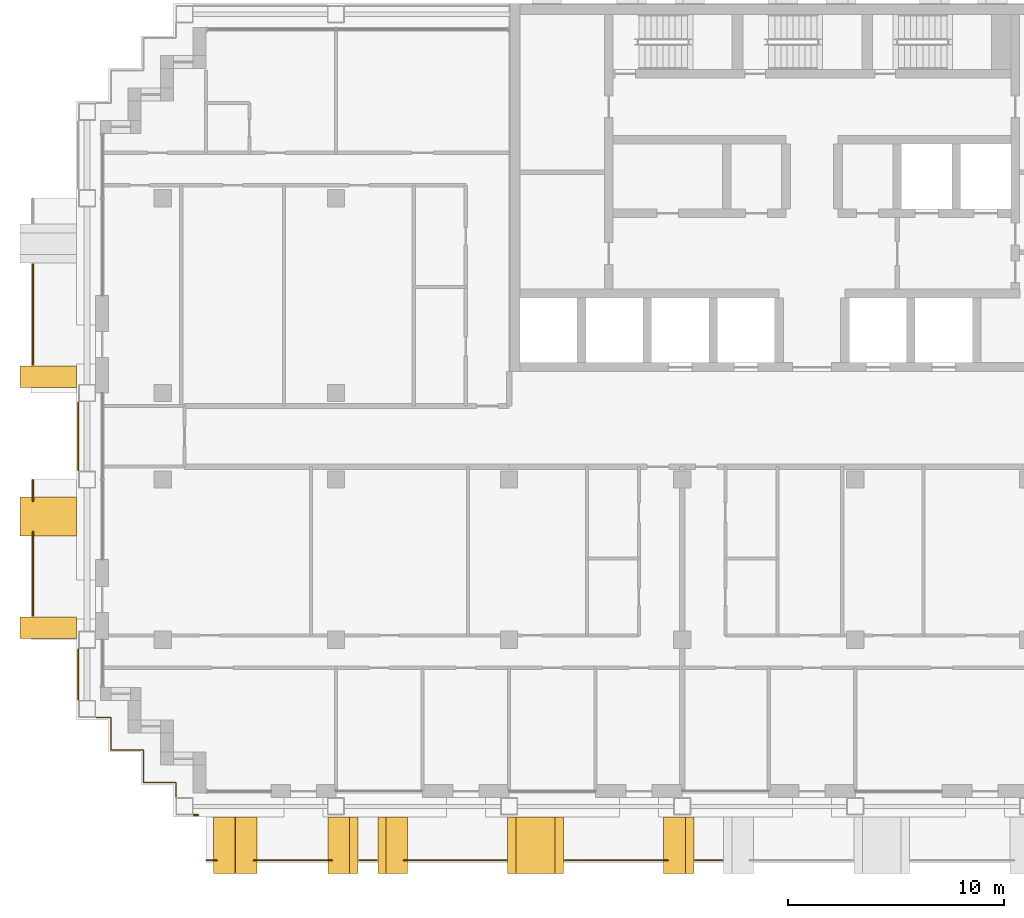
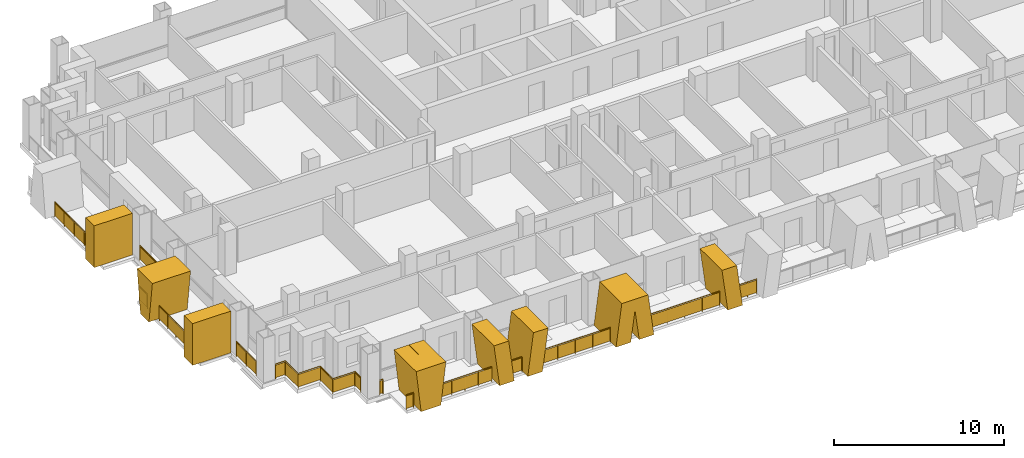
# One storey, part 13 of 16: 13 railings, 8 shading devices.
"""IFC4 building model written with IfcOpenShell, lengths in metres."""

from ifc_helpers import new_model, si_unit, direction, frame, origin, origin_2d, place, context, subcontext, project, spatial, polyline, rectangle, circle, outline, extrude, material, layer, layer_set, type_object, element, save


model = new_model("IFC4")

# Units and contexts
model_context = context("Model", 3, precision=1e-05, world=origin(), true_north=direction((0.0, 1.0)))
body_context = subcontext(model_context, "Body", "Model", "MODEL_VIEW")
ifc_project = project(units=[si_unit("LENGTHUNIT", "METRE"), si_unit("AREAUNIT", "SQUARE_METRE"), si_unit("VOLUMEUNIT", "CUBIC_METRE"), si_unit("PLANEANGLEUNIT", "RADIAN"), si_unit("MASSUNIT", "GRAM", prefix="KILO")], contexts=[model_context])

# Site, building, storey
site_placement = place(None, origin())
site = spatial("IfcSite", under=ifc_project, at=site_placement, CompositionType="ELEMENT")
building_placement = place(site_placement, origin())
building = spatial("IfcBuilding", under=site, at=building_placement, Name="Vidyagriha Tower", CompositionType="ELEMENT")
storey_placement = place(building_placement, frame((0.0, 0.0, 129.39990234375)))
storey = spatial("IfcBuildingStorey", under=building, at=storey_placement, Name="L33", CompositionType="ELEMENT", Elevation=129.39990234375)

# Railings
ifc_material_1 = material(Name="Steel ASTM A500 Grade C black painted", Category="steel")
railing_type_1 = type_object("IfcRailingType", Name="Balcony guard 1100", PredefinedType="BALUSTRADE", material=ifc_material_1)
railing_1_placement = place(storey_placement, frame((-36.0, 7.949951171875, 0.0)))
element("IfcRailing", 1, at=railing_1_placement, inside=storey, type_object=railing_type_1, Name="Balcony guard L33 R16.1-2", PredefinedType="BALUSTRADE", context=body_context, shape_type="SweptSolid", body=[
    extrude(circle(Radius=0.02490234375, at=origin_2d()), frame((0.0, 0.0, 1.0751953125), z_axis=(0.0, -1.0, 0.0), x_axis=(1.0, 0.0, 0.0)), (0.0, 0.0, 1.0), 4.64990234375),
    extrude(circle(Radius=0.02001953125, at=origin_2d()), origin(), (0.0, 0.0, 1.0), 1.050048828125),
    extrude(circle(Radius=0.02001953125, at=origin_2d()), frame((0.0, -1.16259765625, 0.0)), (0.0, 0.0, 1.0), 1.050048828125),
    extrude(circle(Radius=0.02001953125, at=origin_2d()), frame((0.0, -2.324951171875, 0.0)), (0.0, 0.0, 1.0), 1.050048828125),
    extrude(circle(Radius=0.02001953125, at=origin_2d()), frame((0.0, -3.4873046875, 0.0)), (0.0, 0.0, 1.0), 1.050048828125),
    extrude(circle(Radius=0.02001953125, at=origin_2d()), frame((0.0, -4.64990234375, 0.0)), (0.0, 0.0, 1.0), 1.050048828125),
    extrude(rectangle(XDim=0.010009765625, YDim=0.900146484375, at=origin_2d()), frame((0.0, 0.0, 0.550048828125), z_axis=(0.0, -1.0, 0.0), x_axis=(1.0, 0.0, 0.0)), (0.0, 0.0, 1.0), 4.64990234375),
])
railing_2_placement = place(storey_placement, frame((-36.0, -2.0, 0.0)))
element("IfcRailing", 2, at=railing_2_placement, inside=storey, type_object=railing_type_1, Name="Balcony guard L33 R16.2-1", PredefinedType="BALUSTRADE", context=body_context, shape_type="SweptSolid", body=[
    extrude(circle(Radius=0.02490234375, at=origin_2d()), frame((0.0, 0.0, 1.0751953125), z_axis=(0.0, -1.0, 0.0), x_axis=(1.0, 0.0, 0.0)), (0.0, 0.0, 1.0), 0.99658203125),
    extrude(circle(Radius=0.02001953125, at=origin_2d()), origin(), (0.0, 0.0, 1.0), 1.050048828125),
    extrude(circle(Radius=0.02001953125, at=origin_2d()), frame((0.0, -0.99658203125, 0.0)), (0.0, 0.0, 1.0), 1.050048828125),
    extrude(rectangle(XDim=0.010009765625, YDim=0.900146484375, at=origin_2d()), frame((0.0, 0.0, 0.550048828125), z_axis=(0.0, -1.0, 0.0), x_axis=(1.0, 0.0, 0.0)), (0.0, 0.0, 1.0), 0.99658203125),
])
railing_3_placement = place(storey_placement, frame((-36.0, -4.4033203125, 0.0)))
element("IfcRailing", 3, at=railing_3_placement, inside=storey, type_object=railing_type_1, Name="Balcony guard L33 R16.2-2", PredefinedType="BALUSTRADE", context=body_context, shape_type="SweptSolid", body=[
    extrude(circle(Radius=0.02490234375, at=origin_2d()), frame((0.0, 0.0, 1.0751953125), z_axis=(0.0, -1.0, 0.0), x_axis=(1.0, 0.0, 0.0)), (0.0, 0.0, 1.0), 3.896728515625),
    extrude(circle(Radius=0.02001953125, at=origin_2d()), origin(), (0.0, 0.0, 1.0), 1.050048828125),
    extrude(circle(Radius=0.02001953125, at=origin_2d()), frame((0.0, -0.97412109375, 0.0)), (0.0, 0.0, 1.0), 1.050048828125),
    extrude(circle(Radius=0.02001953125, at=origin_2d()), frame((0.0, -1.9482421875, 0.0)), (0.0, 0.0, 1.0), 1.050048828125),
    extrude(circle(Radius=0.02001953125, at=origin_2d()), frame((0.0, -2.922607421875, 0.0)), (0.0, 0.0, 1.0), 1.050048828125),
    extrude(circle(Radius=0.02001953125, at=origin_2d()), frame((0.0, -3.896728515625, 0.0)), (0.0, 0.0, 1.0), 1.050048828125),
    extrude(rectangle(XDim=0.010009765625, YDim=0.900146484375, at=origin_2d()), frame((0.0, 0.0, 0.550048828125), z_axis=(0.0, -1.0, 0.0), x_axis=(1.0, 0.0, 0.0)), (0.0, 0.0, 1.0), 3.896728515625),
])
railing_4_placement = place(storey_placement, frame((-28.0, -19.60009765625, 0.0)))
element("IfcRailing", 4, at=railing_4_placement, inside=storey, type_object=railing_type_1, Name="Balcony guard L33 R23.1-1", PredefinedType="BALUSTRADE", context=body_context, shape_type="SweptSolid", body=[
    extrude(circle(Radius=0.02490234375, at=origin_2d()), frame((0.0, 0.0, 1.0751953125), z_axis=(1.0, 0.0, 0.0), x_axis=(0.0, 1.0, 0.0)), (0.0, 0.0, 1.0), 0.499755859375),
    extrude(circle(Radius=0.02001953125, at=origin_2d()), origin(), (0.0, 0.0, 1.0), 1.050048828125),
    extrude(circle(Radius=0.02001953125, at=origin_2d()), frame((0.499755859375, 0.0, 0.0)), (0.0, 0.0, 1.0), 1.050048828125),
    extrude(rectangle(XDim=0.010009765625, YDim=0.900146484375, at=origin_2d()), frame((0.0, 0.0, 0.550048828125), z_axis=(1.0, 0.0, 0.0), x_axis=(0.0, 1.0, 0.0)), (0.0, 0.0, 1.0), 0.499755859375),
])
railing_5_placement = place(storey_placement, frame((-25.799560546875, -19.60009765625, 0.0)))
element("IfcRailing", 5, at=railing_5_placement, inside=storey, type_object=railing_type_1, Name="Balcony guard L33 R23.1-2", PredefinedType="BALUSTRADE", context=body_context, shape_type="SweptSolid", body=[
    extrude(circle(Radius=0.02490234375, at=origin_2d()), frame((0.0, 0.0, 1.0751953125), z_axis=(1.0, 0.0, 0.0), x_axis=(0.0, 1.0, 0.0)), (0.0, 0.0, 1.0), 3.619384765625),
    extrude(circle(Radius=0.02001953125, at=origin_2d()), origin(), (0.0, 0.0, 1.0), 1.050048828125),
    extrude(circle(Radius=0.02001953125, at=origin_2d()), frame((0.90478515625, 0.0, 0.0)), (0.0, 0.0, 1.0), 1.050048828125),
    extrude(circle(Radius=0.02001953125, at=origin_2d()), frame((1.8095703125, 0.0, 0.0)), (0.0, 0.0, 1.0), 1.050048828125),
    extrude(circle(Radius=0.02001953125, at=origin_2d()), frame((2.714599609375, 0.0, 0.0)), (0.0, 0.0, 1.0), 1.050048828125),
    extrude(circle(Radius=0.02001953125, at=origin_2d()), frame((3.619384765625, 0.0, 0.0)), (0.0, 0.0, 1.0), 1.050048828125),
    extrude(rectangle(XDim=0.010009765625, YDim=0.900146484375, at=origin_2d()), frame((0.0, 0.0, 0.550048828125), z_axis=(1.0, 0.0, 0.0), x_axis=(0.0, 1.0, 0.0)), (0.0, 0.0, 1.0), 3.619384765625),
])
railing_6_placement = place(storey_placement, frame((-20.933349609375, -19.60009765625, 0.0)))
element("IfcRailing", 6, at=railing_6_placement, inside=storey, type_object=railing_type_1, Name="Balcony guard L33 R23.1-3", PredefinedType="BALUSTRADE", context=body_context, shape_type="SweptSolid", body=[
    extrude(circle(Radius=0.02490234375, at=origin_2d()), frame((0.0, 0.0, 1.0751953125), z_axis=(1.0, 0.0, 0.0), x_axis=(0.0, 1.0, 0.0)), (0.0, 0.0, 1.0), 0.816650390625),
    extrude(circle(Radius=0.02001953125, at=origin_2d()), origin(), (0.0, 0.0, 1.0), 1.050048828125),
    extrude(circle(Radius=0.02001953125, at=origin_2d()), frame((0.816650390625, 0.0, 0.0)), (0.0, 0.0, 1.0), 1.050048828125),
    extrude(rectangle(XDim=0.010009765625, YDim=0.900146484375, at=origin_2d()), frame((0.0, 0.0, 0.550048828125), z_axis=(1.0, 0.0, 0.0), x_axis=(0.0, 1.0, 0.0)), (0.0, 0.0, 1.0), 0.816650390625),
])
railing_7_placement = place(storey_placement, frame((-18.86962890625, -19.60009765625, 0.0)))
element("IfcRailing", 7, at=railing_7_placement, inside=storey, type_object=railing_type_1, Name="Balcony guard L33 R23.1-4", PredefinedType="BALUSTRADE", context=body_context, shape_type="SweptSolid", body=[
    extrude(circle(Radius=0.02490234375, at=origin_2d()), frame((0.0, 0.0, 1.0751953125), z_axis=(1.0, 0.0, 0.0), x_axis=(0.0, 1.0, 0.0)), (0.0, 0.0, 1.0), 4.754638671875),
    extrude(circle(Radius=0.02001953125, at=origin_2d()), origin(), (0.0, 0.0, 1.0), 1.050048828125),
    extrude(circle(Radius=0.02001953125, at=origin_2d()), frame((1.188720703125, 0.0, 0.0)), (0.0, 0.0, 1.0), 1.050048828125),
    extrude(circle(Radius=0.02001953125, at=origin_2d()), frame((2.37744140625, 0.0, 0.0)), (0.0, 0.0, 1.0), 1.050048828125),
    extrude(circle(Radius=0.02001953125, at=origin_2d()), frame((3.56591796875, 0.0, 0.0)), (0.0, 0.0, 1.0), 1.050048828125),
    extrude(circle(Radius=0.02001953125, at=origin_2d()), frame((4.754638671875, 0.0, 0.0)), (0.0, 0.0, 1.0), 1.050048828125),
    extrude(rectangle(XDim=0.010009765625, YDim=0.900146484375, at=origin_2d()), frame((0.0, 0.0, 0.550048828125), z_axis=(1.0, 0.0, 0.0), x_axis=(0.0, 1.0, 0.0)), (0.0, 0.0, 1.0), 4.754638671875),
])
railing_8_placement = place(storey_placement, frame((-11.43505859375, -19.60009765625, 0.0)))
element("IfcRailing", 8, at=railing_8_placement, inside=storey, type_object=railing_type_1, Name="Balcony guard L33 R23.1-5", PredefinedType="BALUSTRADE", context=body_context, shape_type="SweptSolid", body=[
    extrude(circle(Radius=0.02490234375, at=origin_2d()), frame((0.0, 0.0, 1.0751953125), z_axis=(1.0, 0.0, 0.0), x_axis=(0.0, 1.0, 0.0)), (0.0, 0.0, 1.0), 4.773681640625),
    extrude(circle(Radius=0.02001953125, at=origin_2d()), origin(), (0.0, 0.0, 1.0), 1.050048828125),
    extrude(circle(Radius=0.02001953125, at=origin_2d()), frame((1.193359375, 0.0, 0.0)), (0.0, 0.0, 1.0), 1.050048828125),
    extrude(circle(Radius=0.02001953125, at=origin_2d()), frame((2.38671875, 0.0, 0.0)), (0.0, 0.0, 1.0), 1.050048828125),
    extrude(circle(Radius=0.02001953125, at=origin_2d()), frame((3.580322265625, 0.0, 0.0)), (0.0, 0.0, 1.0), 1.050048828125),
    extrude(circle(Radius=0.02001953125, at=origin_2d()), frame((4.773681640625, 0.0, 0.0)), (0.0, 0.0, 1.0), 1.050048828125),
    extrude(rectangle(XDim=0.010009765625, YDim=0.900146484375, at=origin_2d()), frame((0.0, 0.0, 0.550048828125), z_axis=(1.0, 0.0, 0.0), x_axis=(0.0, 1.0, 0.0)), (0.0, 0.0, 1.0), 4.773681640625),
])
railing_9_placement = place(storey_placement, frame((-5.409912109375, -19.60009765625, 0.0)))
element("IfcRailing", 9, at=railing_9_placement, inside=storey, type_object=railing_type_1, Name="Balcony guard L33 R23.1-6", PredefinedType="BALUSTRADE", context=body_context, shape_type="SweptSolid", body=[
    extrude(circle(Radius=0.02490234375, at=origin_2d()), frame((0.0, 0.0, 1.0751953125), z_axis=(1.0, 0.0, 0.0), x_axis=(0.0, 1.0, 0.0)), (0.0, 0.0, 1.0), 1.27001953125),
    extrude(circle(Radius=0.02001953125, at=origin_2d()), origin(), (0.0, 0.0, 1.0), 1.050048828125),
    extrude(circle(Radius=0.02001953125, at=origin_2d()), frame((0.635009765625, 0.0, 0.0)), (0.0, 0.0, 1.0), 1.050048828125),
    extrude(circle(Radius=0.02001953125, at=origin_2d()), frame((1.27001953125, 0.0, 0.0)), (0.0, 0.0, 1.0), 1.050048828125),
    extrude(rectangle(XDim=0.010009765625, YDim=0.900146484375, at=origin_2d()), frame((0.0, 0.0, 0.550048828125), z_axis=(1.0, 0.0, 0.0), x_axis=(0.0, 1.0, 0.0)), (0.0, 0.0, 1.0), 1.27001953125),
])

# Shading devices
ifc_material_2 = material(Name="Precast concrete C40/50 with buff brick facing", Category="concrete")
ifc_layer_1 = layer(ifc_material_2, 1.0)
ifc_layer_set_1 = layer_set([ifc_layer_1], Name="Precast concrete C40/50 with buff brick facing")
shading_device_type_1 = type_object("IfcShadingDeviceType", Name="Brick-faced blade fin arm leaning 8 degrees", PredefinedType="USERDEFINED", material=ifc_layer_set_1)
shading_device_1_placement = place(storey_placement, frame((-20.066650390625, -18.89990234375, 0.0)))
element("IfcShadingDevice", 10, at=shading_device_1_placement, inside=storey, type_object=shading_device_type_1, Name="Leaning blade fin L33 R23.600a", ObjectType="BLADE FIN", PredefinedType="USERDEFINED", context=body_context, shape_type="SweptSolid", body=[
    extrude(outline(polyline([(0.0, 0.0), (1.0, 0.0), (1.38330078125, 3.0), (0.38330078125, 3.0), (0.0, 0.0)])), frame((0.0, 1.300048828125, 0.0), z_axis=(0.0, -1.0, 0.0), x_axis=(1.0, 0.0, 0.0)), (0.0, 0.0, 1.0), 2.60009765625),
])
shading_device_2_placement = place(storey_placement, frame((-22.36669921875, -18.89990234375, 0.0)))
element("IfcShadingDevice", 11, at=shading_device_2_placement, inside=storey, type_object=shading_device_type_1, Name="Leaning blade fin L33 R23.600b", ObjectType="BLADE FIN", PredefinedType="USERDEFINED", context=body_context, shape_type="SweptSolid", body=[
    extrude(outline(polyline([(0.38330078125, 0.0), (1.38330078125, 0.0), (1.0, 3.0), (0.0, 3.0), (0.38330078125, 0.0)])), frame((0.0, 1.300048828125, 0.0), z_axis=(0.0, -1.0, 0.0), x_axis=(1.0, 0.0, 0.0)), (0.0, 0.0, 1.0), 2.60009765625),
])
shading_device_3_placement = place(storey_placement, frame((-6.85498046875, -18.89990234375, 0.0)))
element("IfcShadingDevice", 12, at=shading_device_3_placement, inside=storey, type_object=shading_device_type_1, Name="Leaning blade fin L33 R23.2200b", ObjectType="BLADE FIN", PredefinedType="USERDEFINED", context=body_context, shape_type="SweptSolid", body=[
    extrude(outline(polyline([(0.39501953125, 0.0), (1.39501953125, 0.0), (1.0, 3.0), (0.0, 3.0), (0.39501953125, 0.0)])), frame((0.0, 1.300048828125, 0.0), z_axis=(0.0, -1.0, 0.0), x_axis=(1.0, 0.0, 0.0)), (0.0, 0.0, 1.0), 2.60009765625),
])
ifc_material_3 = material(Name="Precast concrete C40/50 with buff brick facing", Category="concrete")
ifc_layer_2 = layer(ifc_material_3, 1.0)
ifc_layer_set_2 = layer_set([ifc_layer_2], Name="Precast concrete C40/50 with buff brick facing")
shading_device_type_2 = type_object("IfcShadingDeviceType", Name="Brick-faced blade fin forking 8 degrees", PredefinedType="USERDEFINED", material=ifc_layer_set_2)
shading_device_4_placement = place(storey_placement, frame((-35.300048828125, -2.800048828125, 0.0), z_axis=(0.0, 0.0, 1.0), x_axis=(0.0, -1.0, 0.0)))
element("IfcShadingDevice", 13, at=shading_device_4_placement, inside=storey, type_object=shading_device_type_2, Name="Forked blade fin L33 R16.1600a", ObjectType="BLADE FIN", PredefinedType="USERDEFINED", context=body_context, shape_type="SweptSolid", body=[
    extrude(outline(polyline([(0.39990234375, 0.0), (1.39990234375, 0.0), (1.800048828125, 3.0), (0.0, 3.0), (0.39990234375, 0.0)])), frame((0.0, 1.300048828125, 0.0), z_axis=(0.0, -1.0, 0.0), x_axis=(1.0, 0.0, 0.0)), (0.0, 0.0, 1.0), 2.60009765625),
])
shading_device_5_placement = place(storey_placement, frame((-27.659912109375, -18.89990234375, 0.0)))
element("IfcShadingDevice", 14, at=shading_device_5_placement, inside=storey, type_object=shading_device_type_2, Name="Forked blade fin L33 R23.0a", ObjectType="BLADE FIN", PredefinedType="USERDEFINED", context=body_context, shape_type="SweptSolid", body=[
    extrude(outline(polyline([(0.340087890625, 0.0), (1.679931640625, 0.0), (2.02001953125, 3.0), (1.02001953125, 3.0), (1.010009765625, 2.911865234375), (1.0, 3.0), (0.0, 3.0), (0.340087890625, 0.0)])), frame((0.0, 1.300048828125, 0.0), z_axis=(0.0, -1.0, 0.0), x_axis=(1.0, 0.0, 0.0)), (0.0, 0.0, 1.0), 2.60009765625),
])
shading_device_6_placement = place(storey_placement, frame((-14.06494140625, -18.89990234375, 0.0)))
element("IfcShadingDevice", 15, at=shading_device_6_placement, inside=storey, type_object=shading_device_type_2, Name="Forked blade fin L33 R23.1400a", ObjectType="BLADE FIN", PredefinedType="USERDEFINED", context=body_context, shape_type="SweptSolid", body=[
    extrude(outline(polyline([(1.0, 0.0), (1.2900390625, 2.20263671875), (1.580078125, 0.0), (2.580078125, 0.0), (2.18505859375, 3.0), (0.39501953125, 3.0), (0.0, 0.0), (1.0, 0.0)])), frame((0.0, 1.300048828125, 0.0), z_axis=(0.0, -1.0, 0.0), x_axis=(1.0, 0.0, 0.0)), (0.0, 0.0, 1.0), 2.60009765625),
])
ifc_material_4 = material(Name="Precast concrete C40/50 with buff brick facing", Category="concrete")
ifc_layer_3 = layer(ifc_material_4, 1.0)
ifc_layer_set_3 = layer_set([ifc_layer_3], Name="Precast concrete C40/50 with buff brick facing")
shading_device_type_3 = type_object("IfcShadingDeviceType", Name="Brick-faced blade fin stem 1000", PredefinedType="USERDEFINED", material=ifc_layer_set_3)
for number, where, z_axis, x_axis, name in (
    (16, (-35.300048828125, 3.25, 0.0), (0.0, 0.0, 1.0), (0.0, -1.0, 0.0), "Stem blade fin L33 R16.1200a"),
    (17, (-35.300048828125, -8.35009765625, 0.0), (0.0, 0.0, 1.0), (0.0, -1.0, 0.0), "Stem blade fin L33 R16.2340a"),
):
    element("IfcShadingDevice", number, at=place(storey_placement, frame(where, z_axis=z_axis, x_axis=x_axis)), inside=storey, type_object=shading_device_type_3, Name=name, ObjectType="BLADE FIN", PredefinedType="USERDEFINED", context=body_context, shape_type="SweptSolid", body=[
        extrude(outline(polyline([(0.0, 0.0), (1.0, 0.0), (1.0, 3.0), (0.0, 3.0), (0.0, 0.0)])), frame((0.0, 1.300048828125, 0.0), z_axis=(0.0, -1.0, 0.0), x_axis=(1.0, 0.0, 0.0)), (0.0, 0.0, 1.0), 2.60009765625),
    ])

# Railings
ifc_material_5 = material(Name="Steel ASTM A500 Grade C black painted", Category="steel")
railing_type_2 = type_object("IfcRailingType", Name="Gallery guard 1100", PredefinedType="GUARDRAIL", material=ifc_material_5)
railing_10_placement = place(storey_placement, frame((-33.89990234375, -12.169921875, 0.0)))
element("IfcRailing", 18, at=railing_10_placement, inside=storey, type_object=railing_type_2, Name="Gallery guard L33 1", PredefinedType="GUARDRAIL", context=body_context, shape_type="SweptSolid", body=[
    extrude(circle(Radius=0.02490234375, at=origin_2d()), frame((0.0, 0.0, 1.0751953125), z_axis=(0.0, 1.0, 0.0), x_axis=(-1.0, 0.0, 0.0)), (0.0, 0.0, 1.0), 2.33984375),
    extrude(circle(Radius=0.02001953125, at=origin_2d()), origin(), (0.0, 0.0, 1.0), 1.050048828125),
    extrude(circle(Radius=0.02001953125, at=origin_2d()), frame((0.0, 1.169921875, 0.0)), (0.0, 0.0, 1.0), 1.050048828125),
    extrude(circle(Radius=0.02001953125, at=origin_2d()), frame((0.0, 2.33984375, 0.0)), (0.0, 0.0, 1.0), 1.050048828125),
    extrude(rectangle(XDim=0.010009765625, YDim=0.900146484375, at=origin_2d()), frame((0.0, 0.0, 0.550048828125), z_axis=(0.0, 1.0, 0.0), x_axis=(-1.0, 0.0, 0.0)), (0.0, 0.0, 1.0), 2.33984375),
])
railing_11_placement = place(storey_placement, frame((-33.89990234375, -1.570068359375, 0.0)))
element("IfcRailing", 19, at=railing_11_placement, inside=storey, type_object=railing_type_2, Name="Gallery guard L33 2", PredefinedType="GUARDRAIL", context=body_context, shape_type="SweptSolid", body=[
    extrude(circle(Radius=0.02490234375, at=origin_2d()), frame((0.0, 0.0, 1.0751953125), z_axis=(0.0, 1.0, 0.0), x_axis=(-1.0, 0.0, 0.0)), (0.0, 0.0, 1.0), 3.14013671875),
    extrude(circle(Radius=0.02001953125, at=origin_2d()), origin(), (0.0, 0.0, 1.0), 1.050048828125),
    extrude(circle(Radius=0.02001953125, at=origin_2d()), frame((0.0, 1.046630859375, 0.0)), (0.0, 0.0, 1.0), 1.050048828125),
    extrude(circle(Radius=0.02001953125, at=origin_2d()), frame((0.0, 2.093505859375, 0.0)), (0.0, 0.0, 1.0), 1.050048828125),
    extrude(circle(Radius=0.02001953125, at=origin_2d()), frame((0.0, 3.14013671875, 0.0)), (0.0, 0.0, 1.0), 1.050048828125),
    extrude(rectangle(XDim=0.010009765625, YDim=0.900146484375, at=origin_2d()), frame((0.0, 0.0, 0.550048828125), z_axis=(0.0, 1.0, 0.0), x_axis=(-1.0, 0.0, 0.0)), (0.0, 0.0, 1.0), 3.14013671875),
])
railing_12_placement = place(storey_placement, frame((-29.39990234375, -16.669921875, 0.0)))
element("IfcRailing", 20, at=railing_12_placement, inside=storey, type_object=railing_type_2, Name="Gallery guard L33 4", PredefinedType="GUARDRAIL", context=body_context, shape_type="SweptSolid", body=[
    extrude(circle(Radius=0.02490234375, at=origin_2d()), frame((0.0, 0.0, 1.0751953125), z_axis=(0.0, 1.0, 0.0), x_axis=(-1.0, 0.0, 0.0)), (0.0, 0.0, 1.0), 0.669921875),
    extrude(circle(Radius=0.02490234375, at=origin_2d()), frame((0.0, 0.669921875, 1.0751953125), z_axis=(-1.0, 0.0, 0.0), x_axis=(0.0, -1.0, 0.0)), (0.0, 0.0, 1.0), 1.5),
    extrude(circle(Radius=0.02490234375, at=origin_2d()), frame((-1.5, 0.669921875, 1.0751953125), z_axis=(0.0, 1.0, 0.0), x_axis=(-1.0, 0.0, 0.0)), (0.0, 0.0, 1.0), 1.5),
    extrude(circle(Radius=0.02490234375, at=origin_2d()), frame((-1.5, 2.169921875, 1.0751953125), z_axis=(-1.0, 0.0, 0.0), x_axis=(0.0, -1.0, 0.0)), (0.0, 0.0, 1.0), 1.5),
    extrude(circle(Radius=0.02490234375, at=origin_2d()), frame((-3.0, 2.169921875, 1.0751953125), z_axis=(0.0, 1.0, 0.0), x_axis=(-1.0, 0.0, 0.0)), (0.0, 0.0, 1.0), 1.5),
    extrude(circle(Radius=0.02490234375, at=origin_2d()), frame((-3.0, 3.669921875, 1.0751953125), z_axis=(-1.0, 0.0, 0.0), x_axis=(0.0, -1.0, 0.0)), (0.0, 0.0, 1.0), 0.670166015625),
    extrude(circle(Radius=0.02001953125, at=origin_2d()), origin(), (0.0, 0.0, 1.0), 1.050048828125),
    extrude(circle(Radius=0.02001953125, at=origin_2d()), frame((0.0, 0.669921875, 0.0)), (0.0, 0.0, 1.0), 1.050048828125),
    extrude(circle(Radius=0.02001953125, at=origin_2d()), frame((-1.5, 0.669921875, 0.0)), (0.0, 0.0, 1.0), 1.050048828125),
    extrude(circle(Radius=0.02001953125, at=origin_2d()), frame((-1.5, 2.169921875, 0.0)), (0.0, 0.0, 1.0), 1.050048828125),
    extrude(circle(Radius=0.02001953125, at=origin_2d()), frame((-3.0, 2.169921875, 0.0)), (0.0, 0.0, 1.0), 1.050048828125),
    extrude(circle(Radius=0.02001953125, at=origin_2d()), frame((-3.0, 3.669921875, 0.0)), (0.0, 0.0, 1.0), 1.050048828125),
    extrude(circle(Radius=0.02001953125, at=origin_2d()), frame((-3.670166015625, 3.669921875, 0.0)), (0.0, 0.0, 1.0), 1.050048828125),
    extrude(rectangle(XDim=0.010009765625, YDim=0.900146484375, at=origin_2d()), frame((0.0, 0.0, 0.550048828125), z_axis=(0.0, 1.0, 0.0), x_axis=(-1.0, 0.0, 0.0)), (0.0, 0.0, 1.0), 0.669921875),
    extrude(rectangle(XDim=0.010009765625, YDim=0.900146484375, at=origin_2d()), frame((0.0, 0.669921875, 0.550048828125), z_axis=(-1.0, 0.0, 0.0), x_axis=(0.0, -1.0, 0.0)), (0.0, 0.0, 1.0), 1.5),
    extrude(rectangle(XDim=0.010009765625, YDim=0.900146484375, at=origin_2d()), frame((-1.5, 0.669921875, 0.550048828125), z_axis=(0.0, 1.0, 0.0), x_axis=(-1.0, 0.0, 0.0)), (0.0, 0.0, 1.0), 1.5),
    extrude(rectangle(XDim=0.010009765625, YDim=0.900146484375, at=origin_2d()), frame((-1.5, 2.169921875, 0.550048828125), z_axis=(-1.0, 0.0, 0.0), x_axis=(0.0, -1.0, 0.0)), (0.0, 0.0, 1.0), 1.5),
    extrude(rectangle(XDim=0.010009765625, YDim=0.900146484375, at=origin_2d()), frame((-3.0, 2.169921875, 0.550048828125), z_axis=(0.0, 1.0, 0.0), x_axis=(-1.0, 0.0, 0.0)), (0.0, 0.0, 1.0), 1.5),
    extrude(rectangle(XDim=0.010009765625, YDim=0.900146484375, at=origin_2d()), frame((-3.0, 3.669921875, 0.550048828125), z_axis=(-1.0, 0.0, 0.0), x_axis=(0.0, -1.0, 0.0)), (0.0, 0.0, 1.0), 0.670166015625),
])
railing_13_placement = place(storey_placement, frame((-28.360107421875, -17.5, 0.0)))
element("IfcRailing", 21, at=railing_13_placement, inside=storey, type_object=railing_type_2, Name="Gallery guard L33 6", PredefinedType="GUARDRAIL", context=body_context, shape_type="SweptSolid", body=[
    extrude(circle(Radius=0.02490234375, at=origin_2d()), frame((0.0, 0.0, 1.0751953125), z_axis=(-1.0, 0.0, 0.0), x_axis=(0.0, -1.0, 0.0)), (0.0, 0.0, 1.0), 0.2099609375),
    extrude(circle(Radius=0.02001953125, at=origin_2d()), origin(), (0.0, 0.0, 1.0), 1.050048828125),
    extrude(circle(Radius=0.02001953125, at=origin_2d()), frame((-0.2099609375, 0.0, 0.0)), (0.0, 0.0, 1.0), 1.050048828125),
    extrude(rectangle(XDim=0.010009765625, YDim=0.900146484375, at=origin_2d()), frame((0.0, 0.0, 0.550048828125), z_axis=(-1.0, 0.0, 0.0), x_axis=(0.0, -1.0, 0.0)), (0.0, 0.0, 1.0), 0.2099609375),
])

save(model, "model.ifc")
